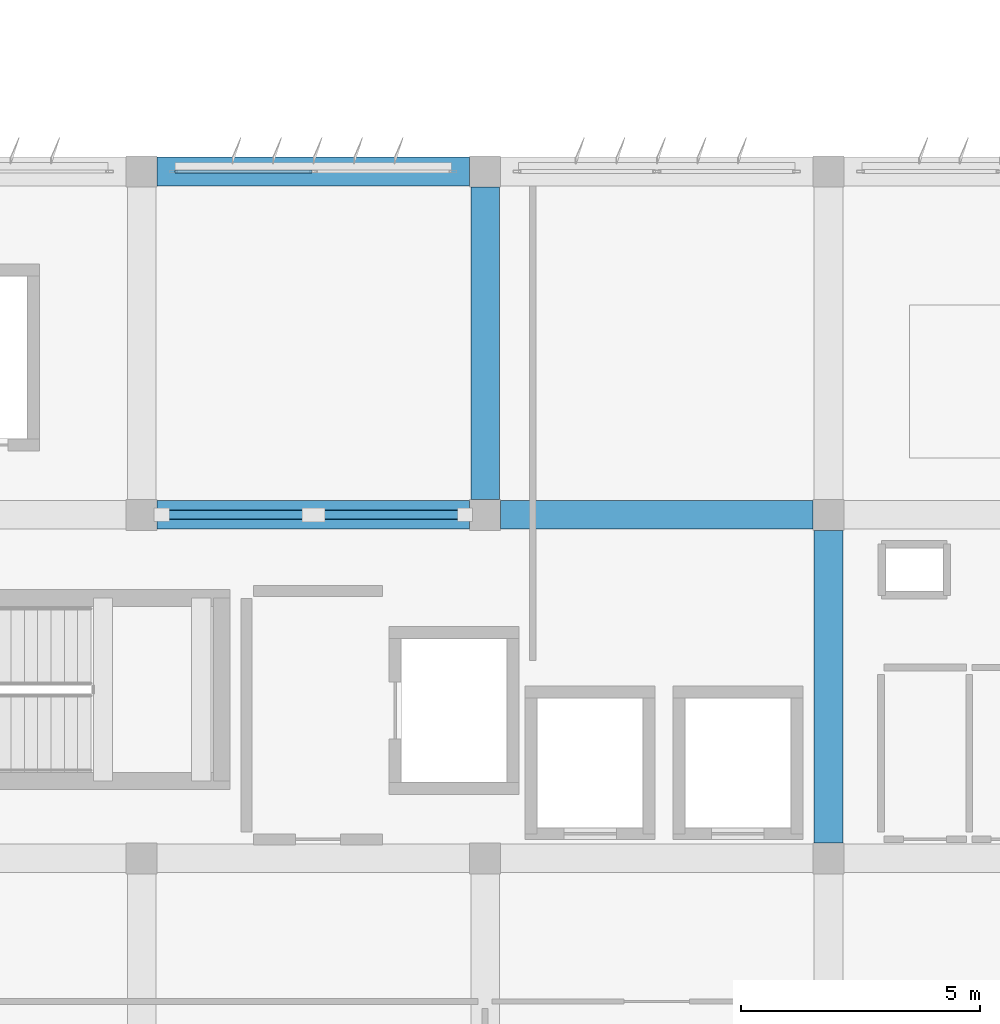
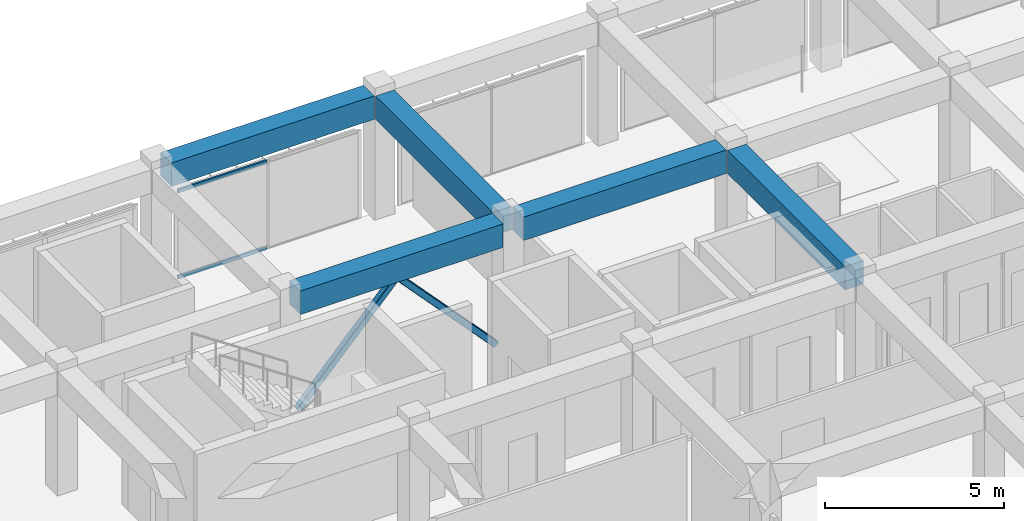
# One storey, part 15 of 56: 5 beams, 4 members, 1 element without a shape of its own.
"""IFC4 building model written with IfcOpenShell, lengths in metres."""

from ifc_helpers import new_model, si_unit, direction, frame, origin, origin_2d, place, context, subcontext, project, spatial, rectangle, hollow_rectangle, extrude, material, material_profile, profile_set, type_object, element, aggregate, save


model = new_model("IFC4")

# Units and contexts
model_context = context("Model", 3, precision=1e-05, world=origin(), true_north=direction((0.0, 1.0)))
body_context = subcontext(model_context, "Body", "Model", "MODEL_VIEW")
ifc_project = project(units=[si_unit("LENGTHUNIT", "METRE"), si_unit("AREAUNIT", "SQUARE_METRE"), si_unit("VOLUMEUNIT", "CUBIC_METRE"), si_unit("PLANEANGLEUNIT", "RADIAN"), si_unit("MASSUNIT", "GRAM", prefix="KILO")], contexts=[model_context])

# Site, building, storey
site_placement = place(None, origin())
site = spatial("IfcSite", under=ifc_project, at=site_placement, CompositionType="ELEMENT")
building_placement = place(site_placement, origin())
building = spatial("IfcBuilding", under=site, at=building_placement, Name="Kazehaya Institute of Natural Sciences", CompositionType="ELEMENT")
storey_placement = place(building_placement, frame((0.0, 0.0, 28.800048828125)))
storey = spatial("IfcBuildingStorey", under=building, at=storey_placement, Name="L06", CompositionType="ELEMENT", Elevation=28.800048828125)

# Beams
ifc_material_1 = material(Name="Concrete Fc36", Category="concrete")
ifc_material_profile_1 = material_profile(ifc_material_1, rectangle(XDim=0.60009765625, YDim=0.800048828125, at=origin_2d()), Name="RC-600x800")
ifc_profile_set_1 = profile_set([ifc_material_profile_1], Name="Concrete Fc36")
beam_type = type_object("IfcBeamType", Name="BM-G-600x800", PredefinedType="BEAM", material=ifc_profile_set_1)
for number, where, z_axis, x_axis, name in (
    (1, (69.324951171875, 28.39990234375, 3.829833984375), (1.0, 0.0, 0.0), (0.0, 1.0, 0.0), "L06 primary X girder BMX-L06-690-284"),
    (2, (76.52490234375, 28.39990234375, 3.829833984375), (1.0, 0.0, 0.0), (0.0, 1.0, 0.0), "L06 primary X girder BMX-L06-762-284"),
    (3, (69.324951171875, 35.60009765625, 3.829833984375), (1.0, 0.0, 0.0), (0.0, 1.0, 0.0), "L06 primary X girder BMX-L06-690-356"),
):
    element("IfcBeam", number, at=place(storey_placement, frame(where, z_axis=z_axis, x_axis=x_axis)), inside=storey, type_object=beam_type, Name=name, PredefinedType="BEAM", context=body_context, shape_type="SweptSolid", body=[
        extrude(rectangle(XDim=0.60009765625, YDim=0.800048828125, at=origin_2d()), origin(), (0.0, 0.0, 1.0), 6.550048828125),
    ])
beam_1_placement = place(storey_placement, frame((76.199951171875, 28.72509765625, 3.829833984375), z_axis=(0.0, 1.0, 0.0), x_axis=(-1.0, 0.0, 0.0)))
element("IfcBeam", 4, at=beam_1_placement, inside=storey, type_object=beam_type, Name="L06 primary Y girder BMY-L06-762-284", PredefinedType="BEAM", context=body_context, shape_type="SweptSolid", body=[
    extrude(rectangle(XDim=0.60009765625, YDim=0.800048828125, at=origin_2d()), origin(), (0.0, 0.0, 1.0), 6.5498046875),
])
beam_2_placement = place(storey_placement, frame((83.39990234375, 21.52490234375, 3.829833984375), z_axis=(0.0, 1.0, 0.0), x_axis=(-1.0, 0.0, 0.0)))
element("IfcBeam", 5, at=beam_2_placement, inside=storey, type_object=beam_type, Name="L06 primary Y girder BMY-L06-834-212", PredefinedType="BEAM", context=body_context, shape_type="SweptSolid", body=[
    extrude(rectangle(XDim=0.60009765625, YDim=0.800048828125, at=origin_2d()), origin(), (0.0, 0.0, 1.0), 6.550048828125),
])

# Curtain wall, members
ifc_material_2 = material(Name="Aluminium alloy A6063S-T5", Category="aluminium")
curtain_wall_type = type_object("IfcCurtainWallType", Name="CW-SYS-04", PredefinedType="NOTDEFINED", material=ifc_material_2)
curtain_wall_placement = place(storey_placement, origin())
curtain_wall = element("IfcCurtainWall", 6, at=curtain_wall_placement, inside=storey, type_object=curtain_wall_type, Name="L06 unitised curtain wall CW-L06-131", PredefinedType="NOTDEFINED")
ifc_material_profile_2 = material_profile(ifc_material_2, hollow_rectangle(XDim=0.06005859375, YDim=0.1201171875, WallThickness=0.00341796875, at=origin_2d()), Name="ALU-60x120x3.5")
ifc_profile_set_2 = profile_set([ifc_material_profile_2], Name="Aluminium alloy A6063S-T5")
member_type_1 = type_object("IfcMemberType", Name="CWT-120", PredefinedType="USERDEFINED", material=ifc_profile_set_2)
member_1_placement = place(storey_placement, frame((69.699951171875, 35.60009765625, 0.030029296875), z_axis=(1.0, 0.0, 0.0), x_axis=(0.0, 1.0, 0.0)))
member_1 = element("IfcMember", 7, at=member_1_placement, type_object=member_type_1, Name="CW04 transom 1.1", ObjectType="TRANSOM", PredefinedType="USERDEFINED", context=body_context, shape_type="SweptSolid", body=[
    extrude(hollow_rectangle(XDim=0.06005859375, YDim=0.1201171875, WallThickness=0.00341796875, at=origin_2d()), origin(), (0.0, 0.0, 1.0), 2.8701171875),
])
member_2_placement = place(storey_placement, frame((69.699951171875, 35.60009765625, 2.969970703125), z_axis=(1.0, 0.0, 0.0), x_axis=(0.0, 1.0, 0.0)))
member_2 = element("IfcMember", 8, at=member_2_placement, type_object=member_type_1, Name="CW04 transom 1.2", ObjectType="TRANSOM", PredefinedType="USERDEFINED", context=body_context, shape_type="SweptSolid", body=[
    extrude(hollow_rectangle(XDim=0.06005859375, YDim=0.1201171875, WallThickness=0.00341796875, at=origin_2d()), origin(), (0.0, 0.0, 1.0), 2.8701171875),
])
aggregate(curtain_wall, [member_1, member_2])

# Members
ifc_material_3 = material(Name="Structural steel BCR295", Category="steel")
ifc_material_profile_3 = material_profile(ifc_material_3, hollow_rectangle(XDim=0.199951171875, YDim=0.199951171875, WallThickness=0.009033203125, InnerFilletRadius=0.012939453125, OuterFilletRadius=0.02197265625, at=origin_2d()), Name="BCR-200x200x9")
ifc_profile_set_3 = profile_set([ifc_material_profile_3], Name="Structural steel BCR295")
member_type_2 = type_object("IfcMemberType", Name="MEM-BR-BCR200", PredefinedType="BRACE", material=ifc_profile_set_3)
member_3_placement = place(storey_placement, frame((69.419921875, 28.39990234375, 0.010009765625), z_axis=(0.680972274153, 0.0, 0.732309198245), x_axis=(0.0, 1.0, 0.0)))
element("IfcMember", 9, at=member_3_placement, inside=storey, type_object=member_type_2, Name="L06 core spine seismic brace 13", PredefinedType="BRACE", context=body_context, shape_type="SweptSolid", body=[
    extrude(hollow_rectangle(XDim=0.199951171875, YDim=0.199951171875, WallThickness=0.009033203125, InnerFilletRadius=0.012939453125, OuterFilletRadius=0.02197265625, at=origin_2d()), origin(), (0.0, 0.0, 1.0), 4.670166015625),
])
member_4_placement = place(storey_placement, frame((75.780029296875, 28.39990234375, 0.010009765625), z_axis=(-0.680944237219, 0.0, 0.732335268711), x_axis=(0.0, -1.0, 0.0)))
element("IfcMember", 10, at=member_4_placement, inside=storey, type_object=member_type_2, Name="L06 core spine seismic brace 14", PredefinedType="BRACE", context=body_context, shape_type="SweptSolid", body=[
    extrude(hollow_rectangle(XDim=0.199951171875, YDim=0.199951171875, WallThickness=0.009033203125, InnerFilletRadius=0.012939453125, OuterFilletRadius=0.02197265625, at=origin_2d()), origin(), (0.0, 0.0, 1.0), 4.669921875),
])

save(model, "model.ifc")
